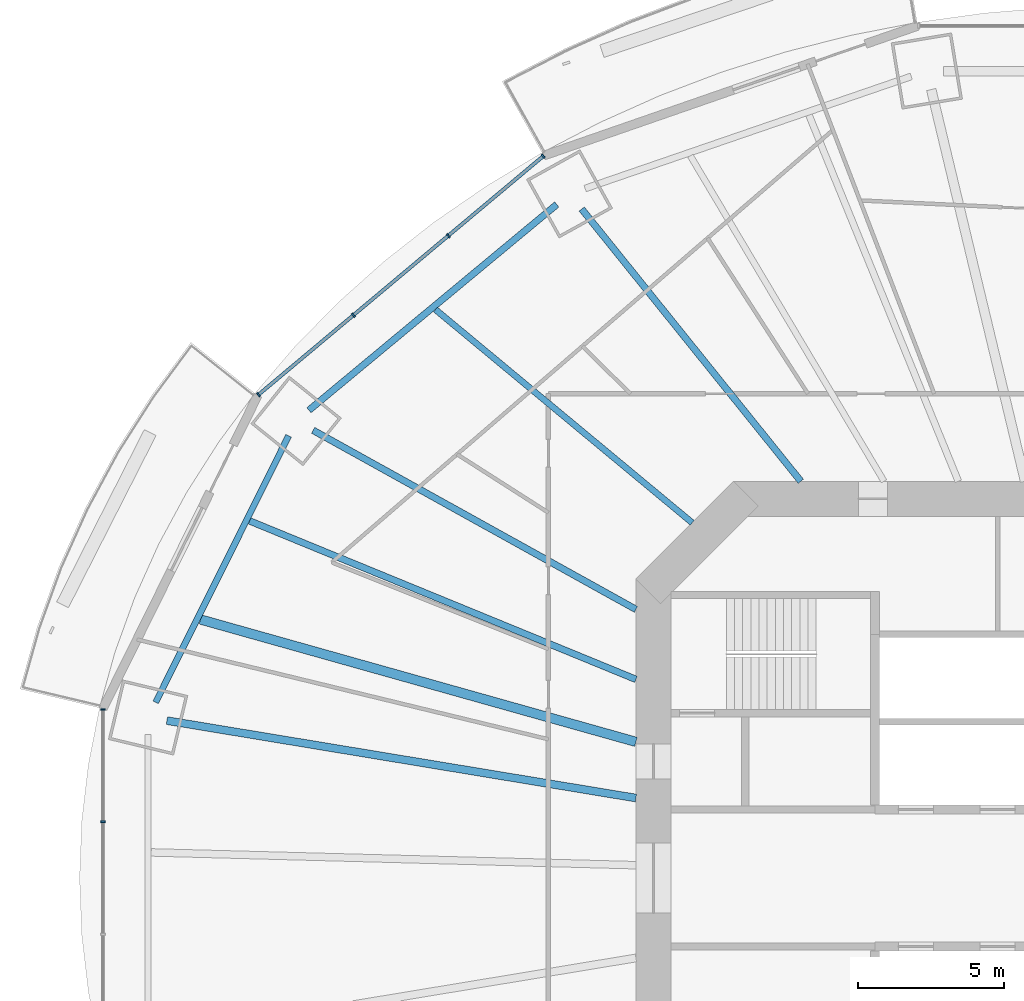
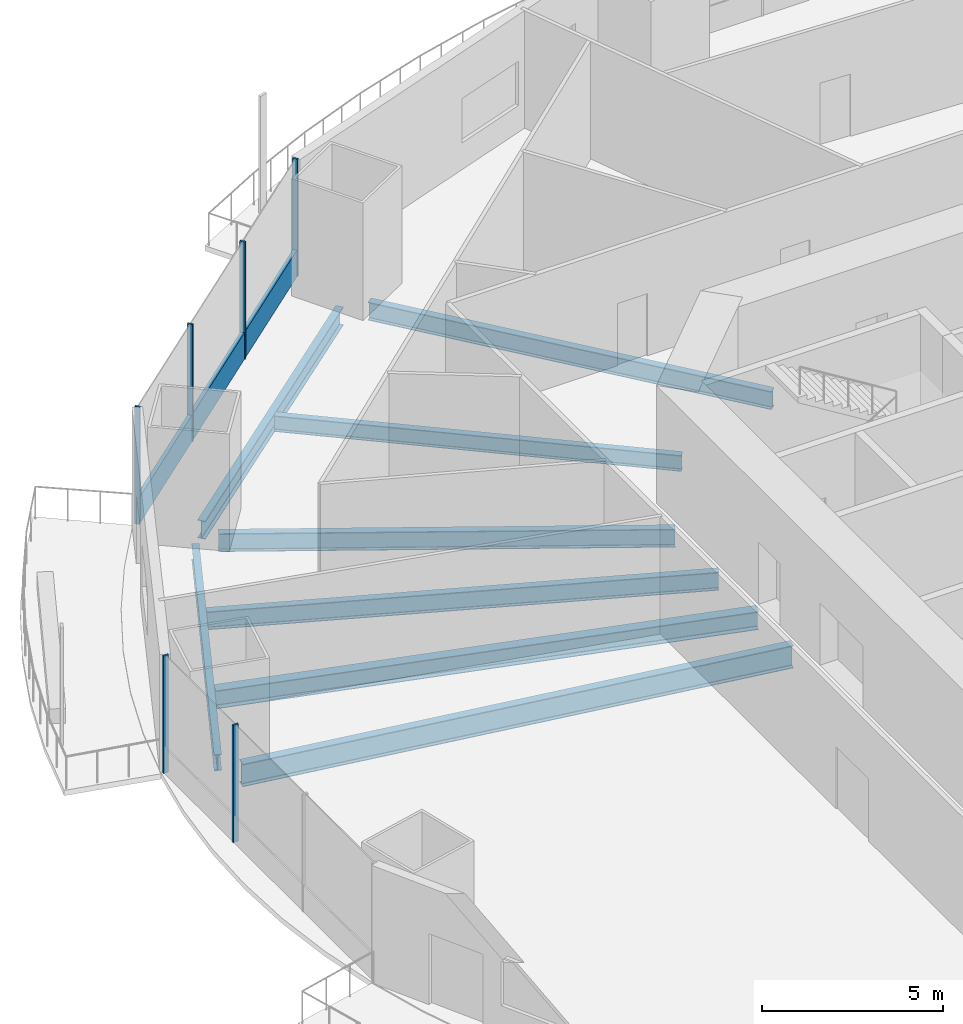
# One storey, part 6 of 22: 8 beams, 7 members, 2 elements without a shape of their own.
"""IFC4 building model written with IfcOpenShell, lengths in metres."""

from ifc_helpers import new_model, si_unit, direction, frame, origin, origin_2d, place, context, subcontext, project, spatial, rectangle, i_section, extrude, material, material_profile, profile_set, type_object, element, aggregate, save


model = new_model("IFC4")

# Units and contexts
model_context = context("Model", 3, precision=1e-05, world=origin(), true_north=direction((0.0, 1.0)))
body_context = subcontext(model_context, "Body", "Model", "MODEL_VIEW")
ifc_project = project(units=[si_unit("LENGTHUNIT", "METRE"), si_unit("AREAUNIT", "SQUARE_METRE"), si_unit("VOLUMEUNIT", "CUBIC_METRE"), si_unit("PLANEANGLEUNIT", "RADIAN"), si_unit("MASSUNIT", "GRAM", prefix="KILO")], contexts=[model_context])

# Site, building, storey
site_placement = place(None, origin())
site = spatial("IfcSite", under=ifc_project, at=site_placement, CompositionType="ELEMENT")
building_placement = place(site_placement, origin())
building = spatial("IfcBuilding", under=site, at=building_placement, Name="Marenthal Gate Tower", CompositionType="ELEMENT")
storey_placement = place(building_placement, frame((0.0, 0.0, 74.5)))
storey = spatial("IfcBuildingStorey", under=building, at=storey_placement, Name="L14", CompositionType="ELEMENT", Elevation=74.5)

# Curtain wall, members
ifc_material_1 = material(Name="Aluminium and glass", Category="aluminium")
curtain_wall_type = type_object("IfcCurtainWallType", Name="Curtain wall typical low", PredefinedType="NOTDEFINED", material=ifc_material_1)
curtain_wall_1_placement = place(storey_placement, origin())
curtain_wall_1 = element("IfcCurtainWall", 1, at=curtain_wall_1_placement, inside=storey, type_object=curtain_wall_type, Name="Curtain wall L14 bay 6", PredefinedType="NOTDEFINED")
ifc_material_2 = material(Name="Aluminium", Category="aluminium")
ifc_material_profile_1 = material_profile(ifc_material_2, rectangle(XDim=0.159912109375, YDim=0.06005859375, at=origin_2d()), Name="60x160 aluminium mullion")
ifc_profile_set_1 = profile_set([ifc_material_profile_1], Name="Aluminium")
member_type_1 = type_object("IfcMemberType", Name="Mullion 60x160 typical low", PredefinedType="MULLION", material=ifc_profile_set_1)
member_1_placement = place(storey_placement, frame((-19.775146484375, 24.7451171875, 0.0), z_axis=(0.0, 0.0, 1.0), x_axis=(0.642176178992, -0.76655707885, 0.0)))
member_1 = element("IfcMember", 2, at=member_1_placement, type_object=member_type_1, Name="Mullion L14 bay 6.1", PredefinedType="MULLION", context=body_context, shape_type="SweptSolid", body=[
    extrude(rectangle(XDim=0.159912109375, YDim=0.06005859375, at=origin_2d()), origin(), (0.0, 0.0, 1.0), 3.969970703125),
])
member_2_placement = place(storey_placement, frame((-23.029541015625, 22.01904296875, 0.0), z_axis=(0.0, 0.0, 1.0), x_axis=(0.642176178992, -0.76655707885, 0.0)))
member_2 = element("IfcMember", 3, at=member_2_placement, type_object=member_type_1, Name="Mullion L14 bay 6.2", PredefinedType="MULLION", context=body_context, shape_type="SweptSolid", body=[
    extrude(rectangle(XDim=0.159912109375, YDim=0.06005859375, at=origin_2d()), origin(), (0.0, 0.0, 1.0), 3.969970703125),
])
member_3_placement = place(storey_placement, frame((-26.283935546875, 19.292724609375, 0.0), z_axis=(0.0, 0.0, 1.0), x_axis=(0.642176178992, -0.76655707885, 0.0)))
member_3 = element("IfcMember", 4, at=member_3_placement, type_object=member_type_1, Name="Mullion L14 bay 6.3", PredefinedType="MULLION", context=body_context, shape_type="SweptSolid", body=[
    extrude(rectangle(XDim=0.159912109375, YDim=0.06005859375, at=origin_2d()), origin(), (0.0, 0.0, 1.0), 3.969970703125),
])
member_4_placement = place(storey_placement, frame((-29.538330078125, 16.56640625, 0.0), z_axis=(0.0, 0.0, 1.0), x_axis=(0.642176178992, -0.76655707885, 0.0)))
member_4 = element("IfcMember", 5, at=member_4_placement, type_object=member_type_1, Name="Mullion L14 bay 6.4", PredefinedType="MULLION", context=body_context, shape_type="SweptSolid", body=[
    extrude(rectangle(XDim=0.159912109375, YDim=0.06005859375, at=origin_2d()), origin(), (0.0, 0.0, 1.0), 3.969970703125),
])

curtain_wall_2_placement = place(storey_placement, origin())
curtain_wall_2 = element("IfcCurtainWall", 6, at=curtain_wall_2_placement, inside=storey, type_object=curtain_wall_type, Name="Curtain wall L14 bay 8", PredefinedType="NOTDEFINED")
member_5_placement = place(storey_placement, frame((-34.869873046875, 5.780517578125, 0.0), z_axis=(0.0, 0.0, 1.0), x_axis=(1.0, 0.0, 0.0)))
member_5 = element("IfcMember", 7, at=member_5_placement, type_object=member_type_1, Name="Mullion L14 bay 8.1", PredefinedType="MULLION", context=body_context, shape_type="SweptSolid", body=[
    extrude(rectangle(XDim=0.159912109375, YDim=0.06005859375, at=origin_2d()), origin(), (0.0, 0.0, 1.0), 3.969970703125),
])
member_6_placement = place(storey_placement, frame((-34.869873046875, 1.927001953125, 0.0), z_axis=(0.0, 0.0, 1.0), x_axis=(1.0, 0.0, 0.0)))
member_6 = element("IfcMember", 8, at=member_6_placement, type_object=member_type_1, Name="Mullion L14 bay 8.2", PredefinedType="MULLION", context=body_context, shape_type="SweptSolid", body=[
    extrude(rectangle(XDim=0.159912109375, YDim=0.06005859375, at=origin_2d()), origin(), (0.0, 0.0, 1.0), 3.969970703125),
])
aggregate(curtain_wall_2, [member_5, member_6])

# Member
ifc_material_3 = material(Name="Aluminium", Category="aluminium")
ifc_material_profile_2 = material_profile(ifc_material_3, rectangle(XDim=0.1201171875, YDim=0.89990234375, at=origin_2d()), Name="120x900 aluminium transom")
ifc_profile_set_2 = profile_set([ifc_material_profile_2], Name="Aluminium")
member_type_2 = type_object("IfcMemberType", Name="Transom 120x900 typical low", PredefinedType="USERDEFINED", material=ifc_profile_set_2)
member_7_placement = place(storey_placement, frame((-19.798095703125, 24.72607421875, 0.449951171875), z_axis=(-0.766556354324, -0.642177043849, 0.0), x_axis=(0.642177043849, -0.766556354324, 0.0)))
member_7 = element("IfcMember", 9, at=member_7_placement, type_object=member_type_2, Name="Transom L14 bay 6", ObjectType="TRANSOM", PredefinedType="USERDEFINED", context=body_context, shape_type="SweptSolid", body=[
    extrude(rectangle(XDim=0.1201171875, YDim=0.89990234375, at=origin_2d()), origin(), (0.0, 0.0, 1.0), 12.67626953125),
])

aggregate(curtain_wall_1, [member_1, member_2, member_3, member_4, member_7])

# Beams
ifc_material_4 = material(Name="Steel S355", Category="steel")
ifc_material_profile_3 = material_profile(ifc_material_4, i_section(OverallWidth=0.2099609375, OverallDepth=0.535888671875, WebThickness=0.010986328125, FlangeThickness=0.017333984375, FilletRadius=0.0126953125, at=origin_2d()), Name="W530X101")
ifc_profile_set_3 = profile_set([ifc_material_profile_3], Name="Steel S355")
beam_type_1 = type_object("IfcBeamType", Name="W530X101 beam", PredefinedType="BEAM", material=ifc_profile_set_3)
beam_1_placement = place(storey_placement, frame((-23.47119140625, 19.485595703125, -0.447998046875), z_axis=(0.769402561639, -0.638764196041, 0.0), x_axis=(0.638764196041, 0.769402561639, 0.0)))
element("IfcBeam", 10, at=beam_1_placement, inside=storey, type_object=beam_type_1, Name="BM-L14-25", PredefinedType="BEAM", context=body_context, shape_type="SweptSolid", body=[
    extrude(i_section(OverallWidth=0.2099609375, OverallDepth=0.535888671875, WebThickness=0.010986328125, FlangeThickness=0.017333984375, FilletRadius=0.0126953125, at=origin_2d()), origin(), (0.0, 0.0, 1.0), 11.439208984375),
])
ifc_material_5 = material(Name="Steel S355", Category="steel")
ifc_material_profile_4 = material_profile(ifc_material_5, i_section(OverallWidth=0.2119140625, OverallDepth=0.5439453125, WebThickness=0.01318359375, FlangeThickness=0.021240234375, FilletRadius=0.0126953125, at=origin_2d()), Name="W530X123")
ifc_profile_set_4 = profile_set([ifc_material_profile_4], Name="Steel S355")
beam_type_2 = type_object("IfcBeamType", Name="W530X123 beam", PredefinedType="BEAM", material=ifc_profile_set_4)
beam_2_placement = place(storey_placement, frame((-28.504150390625, 15.155029296875, -0.451904296875), z_axis=(-0.446448228661, -0.894809465264, 0.0), x_axis=(0.894809465264, -0.446448228661, 0.0)))
element("IfcBeam", 11, at=beam_2_placement, inside=storey, type_object=beam_type_2, Name="BM-L14-47", PredefinedType="BEAM", context=body_context, shape_type="SweptSolid", body=[
    extrude(i_section(OverallWidth=0.2119140625, OverallDepth=0.5439453125, WebThickness=0.01318359375, FlangeThickness=0.021240234375, FilletRadius=0.0126953125, at=origin_2d()), origin(), (0.0, 0.0, 1.0), 10.209716796875),
])
ifc_material_6 = material(Name="Steel S355", Category="steel")
ifc_material_profile_5 = material_profile(ifc_material_6, i_section(OverallWidth=0.22900390625, OverallDepth=0.612060546875, WebThickness=0.011962890625, FlangeThickness=0.01953125, FilletRadius=0.0126953125, at=origin_2d()), Name="W610X125")
ifc_profile_set_5 = profile_set([ifc_material_profile_5], Name="Steel S355")
beam_type_3 = type_object("IfcBeamType", Name="W610X125 beam", PredefinedType="BEAM", material=ifc_profile_set_5)
beam_3_placement = place(storey_placement, frame((-18.456298828125, 22.93115234375, -0.486083984375), z_axis=(0.62700397479, -0.779016056059, 0.0), x_axis=(0.779016056059, 0.62700397479, 0.0)))
element("IfcBeam", 12, at=beam_3_placement, inside=storey, type_object=beam_type_3, Name="BM-L14-06", PredefinedType="BEAM", context=body_context, shape_type="SweptSolid", body=[
    extrude(i_section(OverallWidth=0.22900390625, OverallDepth=0.612060546875, WebThickness=0.011962890625, FlangeThickness=0.01953125, FilletRadius=0.0126953125, at=origin_2d()), origin(), (0.0, 0.0, 1.0), 11.97802734375),
])
beam_4_placement = place(storey_placement, frame((-27.6640625, 15.345703125, -0.486083984375), z_axis=(0.874465657006, -0.485087429972, 0.0), x_axis=(0.485087429972, 0.874465657006, 0.0)))
element("IfcBeam", 13, at=beam_4_placement, inside=storey, type_object=beam_type_3, Name="BM-L14-07", PredefinedType="BEAM", context=body_context, shape_type="SweptSolid", body=[
    extrude(i_section(OverallWidth=0.22900390625, OverallDepth=0.612060546875, WebThickness=0.011962890625, FlangeThickness=0.01953125, FilletRadius=0.0126953125, at=origin_2d()), origin(), (0.0, 0.0, 1.0), 12.65234375),
])
beam_5_placement = place(storey_placement, frame((-29.840087890625, 12.239990234375, -0.486083984375), z_axis=(0.925190275705, -0.379503562225, 0.0), x_axis=(0.379503562225, 0.925190275705, 0.0)))
element("IfcBeam", 14, at=beam_5_placement, inside=storey, type_object=beam_type_3, Name="BM-L14-26", PredefinedType="BEAM", context=body_context, shape_type="SweptSolid", body=[
    extrude(i_section(OverallWidth=0.22900390625, OverallDepth=0.612060546875, WebThickness=0.011962890625, FlangeThickness=0.01953125, FilletRadius=0.0126953125, at=origin_2d()), origin(), (0.0, 0.0, 1.0), 14.310546875),
])
beam_6_placement = place(storey_placement, frame((-19.311767578125, 23.087646484375, -0.486083984375), z_axis=(-0.769405168871, -0.638761055571, 0.0), x_axis=(0.638761055571, -0.769405168871, 0.0)))
element("IfcBeam", 15, at=beam_6_placement, inside=storey, type_object=beam_type_3, Name="BM-L14-46", PredefinedType="BEAM", context=body_context, shape_type="SweptSolid", body=[
    extrude(i_section(OverallWidth=0.22900390625, OverallDepth=0.612060546875, WebThickness=0.011962890625, FlangeThickness=0.01953125, FilletRadius=0.0126953125, at=origin_2d()), origin(), (0.0, 0.0, 1.0), 11.04248046875),
])
ifc_material_7 = material(Name="Steel S355", Category="steel")
ifc_material_profile_6 = material_profile(ifc_material_7, i_section(OverallWidth=0.324951171875, OverallDepth=0.612060546875, WebThickness=0.0126953125, FlangeThickness=0.01904296875, FilletRadius=0.0126953125, at=origin_2d()), Name="W610X155")
ifc_profile_set_6 = profile_set([ifc_material_profile_6], Name="Steel S355")
beam_type_4 = type_object("IfcBeamType", Name="W610X155 beam", PredefinedType="BEAM", material=ifc_profile_set_6)
beam_7_placement = place(storey_placement, frame((-31.525390625, 8.862060546875, -0.486083984375), z_axis=(0.962687612966, -0.270615150797, 0.0), x_axis=(0.270615150797, 0.962687612966, 0.0)))
element("IfcBeam", 16, at=beam_7_placement, inside=storey, type_object=beam_type_4, Name="BM-L14-27", PredefinedType="BEAM", context=body_context, shape_type="SweptSolid", body=[
    extrude(i_section(OverallWidth=0.324951171875, OverallDepth=0.612060546875, WebThickness=0.0126953125, FlangeThickness=0.01904296875, FilletRadius=0.0126953125, at=origin_2d()), origin(), (0.0, 0.0, 1.0), 15.503662109375),
])
ifc_material_8 = material(Name="Steel S355", Category="steel")
ifc_material_profile_7 = material_profile(ifc_material_8, i_section(OverallWidth=0.26708984375, OverallDepth=0.761962890625, WebThickness=0.014404296875, FlangeThickness=0.021484375, FilletRadius=0.0166015625, at=origin_2d()), Name="W760X173")
ifc_profile_set_7 = profile_set([ifc_material_profile_7], Name="Steel S355")
beam_type_5 = type_object("IfcBeamType", Name="W760X173 beam", PredefinedType="BEAM", material=ifc_profile_set_7)
beam_8_placement = place(storey_placement, frame((-32.676025390625, 5.39599609375, -0.56103515625), z_axis=(0.986637030798, -0.162933635137, 0.0), x_axis=(0.162933635137, 0.986637030798, 0.0)))
element("IfcBeam", 17, at=beam_8_placement, inside=storey, type_object=beam_type_5, Name="BM-L14-08", PredefinedType="BEAM", context=body_context, shape_type="SweptSolid", body=[
    extrude(i_section(OverallWidth=0.26708984375, OverallDepth=0.761962890625, WebThickness=0.014404296875, FlangeThickness=0.021484375, FilletRadius=0.0166015625, at=origin_2d()), origin(), (0.0, 0.0, 1.0), 16.293701171875),
])

save(model, "model.ifc")
